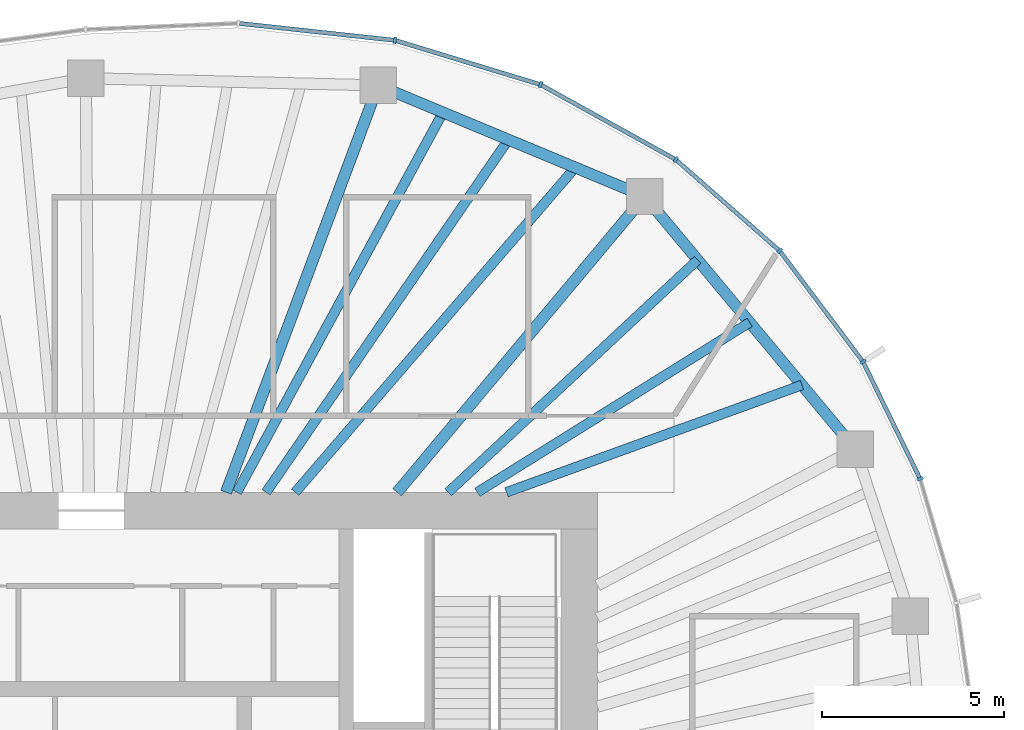
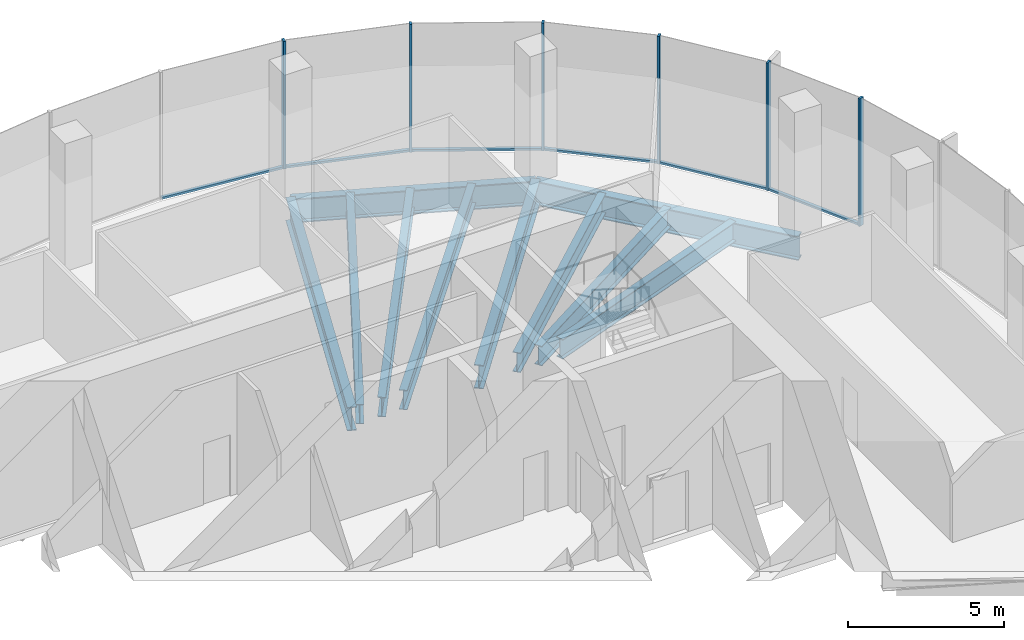
# One storey, part 6 of 11: 12 members, 10 beams, 4 elements without a shape of their own.
"""IFC4 building model written with IfcOpenShell, lengths in metres."""

from ifc_helpers import new_model, si_unit, direction, frame, origin, origin_2d, place, context, subcontext, project, spatial, rectangle, i_section, extrude, material, material_profile, profile_set, type_object, element, aggregate, save


model = new_model("IFC4")

# Units and contexts
model_context = context("Model", 3, precision=1e-05, world=origin(), true_north=direction((0.0, 1.0)))
body_context = subcontext(model_context, "Body", "Model", "MODEL_VIEW")
ifc_project = project(units=[si_unit("LENGTHUNIT", "METRE"), si_unit("AREAUNIT", "SQUARE_METRE"), si_unit("VOLUMEUNIT", "CUBIC_METRE"), si_unit("PLANEANGLEUNIT", "RADIAN"), si_unit("MASSUNIT", "GRAM", prefix="KILO")], contexts=[model_context])

# Site, building, storey
site_placement = place(None, origin())
site = spatial("IfcSite", under=ifc_project, at=site_placement, CompositionType="ELEMENT")
building_placement = place(site_placement, origin())
building = spatial("IfcBuilding", under=site, at=building_placement, Name="Ghaith Harvest Tower", CompositionType="ELEMENT")
storey_placement = place(building_placement, frame((0.0, 0.0, 334.199951171875)))
storey = spatial("IfcBuildingStorey", under=building, at=storey_placement, Name="L75", CompositionType="ELEMENT", Elevation=334.199951171875)

# Curtain wall, member
ifc_material_1 = material(Name="Black anodised aluminium and fritted glass", Category="aluminium")
curtain_wall_type = type_object("IfcCurtainWallType", Name="CW-T CURTAIN WALL", PredefinedType="NOTDEFINED", material=ifc_material_1)
curtain_wall_1_placement = place(storey_placement, origin())
curtain_wall_1 = element("IfcCurtainWall", 1, at=curtain_wall_1_placement, inside=storey, type_object=curtain_wall_type, Name="Curtain wall CW-T bay 02 L75", PredefinedType="NOTDEFINED")
ifc_material_2 = material(Name="Aluminium, black anodised", Category="aluminium")
ifc_material_profile_1 = material_profile(ifc_material_2, rectangle(XDim=0.080078125, YDim=0.179931640625, at=origin_2d()), Name="CW-T MULLION 80x180")
ifc_profile_set_1 = profile_set([ifc_material_profile_1], Name="Aluminium, black anodised")
member_type_1 = type_object("IfcMemberType", Name="CW-T MULLION 80x180", PredefinedType="MULLION", material=ifc_profile_set_1)
member_1_placement = place(storey_placement, frame((22.754150390625, 10.272216796875, 0.0), z_axis=(0.0, 0.0, 1.0), x_axis=(-0.361184273709, 0.932494461338, 0.0)))
member_1 = element("IfcMember", 2, at=member_1_placement, type_object=member_type_1, Name="CW-T mullion 2 bay 02 L75", PredefinedType="MULLION", context=body_context, shape_type="SweptSolid", body=[
    extrude(rectangle(XDim=0.080078125, YDim=0.179931640625, at=origin_2d()), origin(), (0.0, 0.0, 1.0), 5.0),
])

# Curtain wall, members
curtain_wall_2_placement = place(storey_placement, origin())
curtain_wall_2 = element("IfcCurtainWall", 3, at=curtain_wall_2_placement, inside=storey, type_object=curtain_wall_type, Name="Curtain wall CW-T bay 03 L75", PredefinedType="NOTDEFINED")
member_2_placement = place(storey_placement, frame((21.18896484375, 13.48486328125, 0.0), z_axis=(0.0, 0.0, 1.0), x_axis=(-0.524482238522, 0.851421388899, 0.0)))
member_2 = element("IfcMember", 4, at=member_2_placement, type_object=member_type_1, Name="CW-T mullion 1 bay 03 L75", PredefinedType="MULLION", context=body_context, shape_type="SweptSolid", body=[
    extrude(rectangle(XDim=0.080078125, YDim=0.179931640625, at=origin_2d()), origin(), (0.0, 0.0, 1.0), 5.0),
])
member_3_placement = place(storey_placement, frame((18.901123046875, 16.527099609375, 0.0), z_axis=(0.0, 0.0, 1.0), x_axis=(-0.679660897075, 0.733526458274, 0.0)))
member_3 = element("IfcMember", 5, at=member_3_placement, type_object=member_type_1, Name="CW-T mullion 2 bay 03 L75", PredefinedType="MULLION", context=body_context, shape_type="SweptSolid", body=[
    extrude(rectangle(XDim=0.080078125, YDim=0.179931640625, at=origin_2d()), origin(), (0.0, 0.0, 1.0), 5.0),
])

curtain_wall_3_placement = place(storey_placement, origin())
curtain_wall_3 = element("IfcCurtainWall", 6, at=curtain_wall_3_placement, inside=storey, type_object=curtain_wall_type, Name="Curtain wall CW-T bay 04 L75", PredefinedType="NOTDEFINED")
member_4_placement = place(storey_placement, frame((16.04931640625, 19.031982421875, 0.0), z_axis=(0.0, 0.0, 1.0), x_axis=(-0.821112053873, 0.570767023385, 0.0)))
member_4 = element("IfcMember", 7, at=member_4_placement, type_object=member_type_1, Name="CW-T mullion 1 bay 04 L75", PredefinedType="MULLION", context=body_context, shape_type="SweptSolid", body=[
    extrude(rectangle(XDim=0.080078125, YDim=0.179931640625, at=origin_2d()), origin(), (0.0, 0.0, 1.0), 5.0),
])
member_5_placement = place(storey_placement, frame((12.334228515625, 21.091796875, 0.0), z_axis=(0.0, 0.0, 1.0), x_axis=(-0.920319269246, 0.391168049123, 0.0)))
member_5 = element("IfcMember", 8, at=member_5_placement, type_object=member_type_1, Name="CW-T mullion 2 bay 04 L75", PredefinedType="MULLION", context=body_context, shape_type="SweptSolid", body=[
    extrude(rectangle(XDim=0.080078125, YDim=0.179931640625, at=origin_2d()), origin(), (0.0, 0.0, 1.0), 5.0),
])

# Curtain wall, member
curtain_wall_4_placement = place(storey_placement, origin())
curtain_wall_4 = element("IfcCurtainWall", 9, at=curtain_wall_4_placement, inside=storey, type_object=curtain_wall_type, Name="Curtain wall CW-T bay 05 L75", PredefinedType="NOTDEFINED")
member_6_placement = place(storey_placement, frame((8.33984375, 22.308837890625, 0.0), z_axis=(0.0, 0.0, 1.0), x_axis=(-0.980000193436, 0.198996534809, 0.0)))
member_6 = element("IfcMember", 10, at=member_6_placement, type_object=member_type_1, Name="CW-T mullion 1 bay 05 L75", PredefinedType="MULLION", context=body_context, shape_type="SweptSolid", body=[
    extrude(rectangle(XDim=0.080078125, YDim=0.179931640625, at=origin_2d()), origin(), (0.0, 0.0, 1.0), 5.0),
])

# Member
ifc_material_3 = material(Name="Aluminium, black anodised", Category="aluminium")
ifc_material_profile_2 = material_profile(ifc_material_3, rectangle(XDim=0.1201171875, YDim=0.080078125, at=origin_2d()), Name="CW-T TRANSOM 120x80")
ifc_profile_set_2 = profile_set([ifc_material_profile_2], Name="Aluminium, black anodised")
member_type_2 = type_object("IfcMemberType", Name="CW-T TRANSOM 120x80", PredefinedType="USERDEFINED", material=ifc_profile_set_2)
member_7_placement = place(storey_placement, frame((22.736572265625, 10.308349609375, 0.0400390625), z_axis=(-0.437965078712, 0.898991985408, 0.0), x_axis=(-0.898991985408, -0.437965078712, 0.0)))
member_7 = element("IfcMember", 11, at=member_7_placement, type_object=member_type_2, Name="CW-T transom 2 bay 02 L75", ObjectType="TRANSOM", PredefinedType="USERDEFINED", context=body_context, shape_type="SweptSolid", body=[
    extrude(rectangle(XDim=0.1201171875, YDim=0.080078125, at=origin_2d()), origin(), (0.0, 0.0, 1.0), 3.493408203125),
])

aggregate(curtain_wall_1, [member_1, member_7])

member_8_placement = place(storey_placement, frame((21.1650390625, 13.516845703125, 0.0400390625), z_axis=(-0.601079103045, 0.799189534392, 0.0), x_axis=(-0.799189534392, -0.601079103045, 0.0)))
member_8 = element("IfcMember", 12, at=member_8_placement, type_object=member_type_2, Name="CW-T transom 1 bay 03 L75", ObjectType="TRANSOM", PredefinedType="USERDEFINED", context=body_context, shape_type="SweptSolid", body=[
    extrude(rectangle(XDim=0.1201171875, YDim=0.080078125, at=origin_2d()), origin(), (0.0, 0.0, 1.0), 3.7265625),
])

member_9_placement = place(storey_placement, frame((18.87109375, 16.553466796875, 0.0400390625), z_axis=(-0.751325799984, 0.659931467865, 0.0), x_axis=(-0.659931467865, -0.751325799984, 0.0)))
member_9 = element("IfcMember", 13, at=member_9_placement, type_object=member_type_2, Name="CW-T transom 2 bay 03 L75", ObjectType="TRANSOM", PredefinedType="USERDEFINED", context=body_context, shape_type="SweptSolid", body=[
    extrude(rectangle(XDim=0.1201171875, YDim=0.080078125, at=origin_2d()), origin(), (0.0, 0.0, 1.0), 3.7158203125),
])

aggregate(curtain_wall_2, [member_2, member_8, member_3, member_9])

member_10_placement = place(storey_placement, frame((16.01416015625, 19.051513671875, 0.0400390625), z_axis=(-0.874552130553, 0.484931511603, 0.0), x_axis=(-0.484931511603, -0.874552130553, 0.0)))
member_10 = element("IfcMember", 14, at=member_10_placement, type_object=member_type_2, Name="CW-T transom 1 bay 04 L75", ObjectType="TRANSOM", PredefinedType="USERDEFINED", context=body_context, shape_type="SweptSolid", body=[
    extrude(rectangle(XDim=0.1201171875, YDim=0.080078125, at=origin_2d()), origin(), (0.0, 0.0, 1.0), 4.16748046875),
])

member_11_placement = place(storey_placement, frame((12.296142578125, 21.103515625, 0.0400390625), z_axis=(-0.956593713342, 0.291424891858, 0.0), x_axis=(-0.291424891858, -0.956593713342, 0.0)))
member_11 = element("IfcMember", 15, at=member_11_placement, type_object=member_type_2, Name="CW-T transom 2 bay 04 L75", ObjectType="TRANSOM", PredefinedType="USERDEFINED", context=body_context, shape_type="SweptSolid", body=[
    extrude(rectangle(XDim=0.1201171875, YDim=0.080078125, at=origin_2d()), origin(), (0.0, 0.0, 1.0), 4.095703125),
])

aggregate(curtain_wall_3, [member_4, member_10, member_5, member_11])

member_12_placement = place(storey_placement, frame((8.300048828125, 22.313232421875, 0.0400390625), z_axis=(-0.994144463069, 0.108059180768, 0.0), x_axis=(-0.108059180768, -0.994144463069, 0.0)))
member_12 = element("IfcMember", 16, at=member_12_placement, type_object=member_type_2, Name="CW-T transom 1 bay 05 L75", ObjectType="TRANSOM", PredefinedType="USERDEFINED", context=body_context, shape_type="SweptSolid", body=[
    extrude(rectangle(XDim=0.1201171875, YDim=0.080078125, at=origin_2d()), origin(), (0.0, 0.0, 1.0), 4.24755859375),
])

aggregate(curtain_wall_4, [member_6, member_12])

# Beams
ifc_material_4 = material(Name="Steel ASTM A992 Grade 50", Category="steel")
ifc_material_profile_3 = material_profile(ifc_material_4, i_section(OverallWidth=0.306884765625, OverallDepth=0.94189453125, WebThickness=0.022216796875, FlangeThickness=0.039794921875, at=origin_2d()), Name="W920X345")
ifc_profile_set_3 = profile_set([ifc_material_profile_3], Name="Steel ASTM A992 Grade 50")
beam_type_1 = type_object("IfcBeamType", Name="E920-345 W920X345", PredefinedType="SPANDREL", material=ifc_profile_set_3)
beam_1_placement = place(storey_placement, frame((20.97705078125, 11.087890625, -0.696044921875), z_axis=(-0.640173759088, 0.76823014662, 0.0), x_axis=(-0.76823014662, -0.640173759088, 0.0)))
element("IfcBeam", 17, at=beam_1_placement, inside=storey, type_object=beam_type_1, Name="Edge beam E03 L75", PredefinedType="SPANDREL", context=body_context, shape_type="SweptSolid", body=[
    extrude(i_section(OverallWidth=0.306884765625, OverallDepth=0.94189453125, WebThickness=0.022216796875, FlangeThickness=0.039794921875, at=origin_2d()), origin(), (0.0, 0.0, 1.0), 9.02734375),
])
beam_2_placement = place(storey_placement, frame((15.197998046875, 18.02294921875, -0.696044921875), z_axis=(-0.923119729219, 0.384512633766, 0.0), x_axis=(-0.384512633766, -0.923119729219, 0.0)))
element("IfcBeam", 18, at=beam_2_placement, inside=storey, type_object=beam_type_1, Name="Edge beam E04 L75", PredefinedType="SPANDREL", context=body_context, shape_type="SweptSolid", body=[
    extrude(i_section(OverallWidth=0.306884765625, OverallDepth=0.94189453125, WebThickness=0.022216796875, FlangeThickness=0.039794921875, at=origin_2d()), origin(), (0.0, 0.0, 1.0), 7.9296875),
])
ifc_material_5 = material(Name="Steel ASTM A992 Grade 50", Category="steel")
ifc_material_profile_4 = material_profile(ifc_material_5, i_section(OverallWidth=0.31005859375, OverallDepth=0.927001953125, WebThickness=0.019287109375, FlangeThickness=0.031982421875, at=origin_2d()), Name="W920X289")
ifc_profile_set_4 = profile_set([ifc_material_profile_4], Name="Steel ASTM A992 Grade 50")
beam_type_2 = type_object("IfcBeamType", Name="G920-289 W920X289", PredefinedType="BEAM", material=ifc_profile_set_4)
beam_3_placement = place(storey_placement, frame((8.39990234375, 9.89990234375, -0.6884765625), z_axis=(0.641792628883, 0.766878231215, 0.0), x_axis=(-0.766878231215, 0.641792628883, 0.0)))
element("IfcBeam", 19, at=beam_3_placement, inside=storey, type_object=beam_type_2, Name="Radial girder G04 L75", PredefinedType="BEAM", context=body_context, shape_type="SweptSolid", body=[
    extrude(i_section(OverallWidth=0.31005859375, OverallDepth=0.927001953125, WebThickness=0.019287109375, FlangeThickness=0.031982421875, at=origin_2d()), origin(), (0.0, 0.0, 1.0), 10.59228515625),
])
beam_4_placement = place(storey_placement, frame((3.700927734375, 9.89990234375, -0.6884765625), z_axis=(0.350201332531, 0.936674450753, 0.0), x_axis=(-0.936674450753, 0.350201332531, 0.0)))
element("IfcBeam", 20, at=beam_4_placement, inside=storey, type_object=beam_type_2, Name="Radial girder G05 L75", PredefinedType="BEAM", context=body_context, shape_type="SweptSolid", body=[
    extrude(i_section(OverallWidth=0.31005859375, OverallDepth=0.927001953125, WebThickness=0.019287109375, FlangeThickness=0.031982421875, at=origin_2d()), origin(), (0.0, 0.0, 1.0), 11.927490234375),
])
ifc_material_6 = material(Name="Steel ASTM A992 Grade 50", Category="steel")
ifc_material_profile_5 = material_profile(ifc_material_6, i_section(OverallWidth=0.26806640625, OverallDepth=0.77001953125, WebThickness=0.015625, FlangeThickness=0.025390625, at=origin_2d()), Name="W760X196")
ifc_profile_set_5 = profile_set([ifc_material_profile_5], Name="Steel ASTM A992 Grade 50")
beam_type_3 = type_object("IfcBeamType", Name="J760-196 W760X196", PredefinedType="JOIST", material=ifc_profile_set_5)
beam_5_placement = place(storey_placement, frame((11.39990234375, 9.89990234375, -0.60986328125), z_axis=(0.939925501564, 0.341379629605, 0.0), x_axis=(-0.341379629605, 0.939925501564, 0.0)))
element("IfcBeam", 21, at=beam_5_placement, inside=storey, type_object=beam_type_3, Name="Joist J03.1 L75", PredefinedType="JOIST", context=body_context, shape_type="SweptSolid", body=[
    extrude(i_section(OverallWidth=0.26806640625, OverallDepth=0.77001953125, WebThickness=0.015625, FlangeThickness=0.025390625, at=origin_2d()), origin(), (0.0, 0.0, 1.0), 8.630615234375),
])
beam_6_placement = place(storey_placement, frame((10.60009765625, 9.89990234375, -0.60986328125), z_axis=(0.84837619421, 0.52939383553, 0.0), x_axis=(-0.52939383553, 0.84837619421, 0.0)))
element("IfcBeam", 22, at=beam_6_placement, inside=storey, type_object=beam_type_3, Name="Joist J03.2 L75", PredefinedType="JOIST", context=body_context, shape_type="SweptSolid", body=[
    extrude(i_section(OverallWidth=0.26806640625, OverallDepth=0.77001953125, WebThickness=0.015625, FlangeThickness=0.025390625, at=origin_2d()), origin(), (0.0, 0.0, 1.0), 8.814697265625),
])
beam_7_placement = place(storey_placement, frame((9.800048828125, 9.89990234375, -0.60986328125), z_axis=(0.73164904944, 0.681681500742, 0.0), x_axis=(-0.681681500742, 0.73164904944, 0.0)))
element("IfcBeam", 23, at=beam_7_placement, inside=storey, type_object=beam_type_3, Name="Joist J03.3 L75", PredefinedType="JOIST", context=body_context, shape_type="SweptSolid", body=[
    extrude(i_section(OverallWidth=0.26806640625, OverallDepth=0.77001953125, WebThickness=0.015625, FlangeThickness=0.025390625, at=origin_2d()), origin(), (0.0, 0.0, 1.0), 9.361572265625),
])
beam_8_placement = place(storey_placement, frame((5.60009765625, 9.89990234375, -0.60986328125), z_axis=(0.652992938501, 0.757363995888, 0.0), x_axis=(-0.757363995888, 0.652992938501, 0.0)))
element("IfcBeam", 24, at=beam_8_placement, inside=storey, type_object=beam_type_3, Name="Joist J04.1 L75", PredefinedType="JOIST", context=body_context, shape_type="SweptSolid", body=[
    extrude(i_section(OverallWidth=0.26806640625, OverallDepth=0.77001953125, WebThickness=0.015625, FlangeThickness=0.025390625, at=origin_2d()), origin(), (0.0, 0.0, 1.0), 11.775390625),
])
beam_9_placement = place(storey_placement, frame((4.800048828125, 9.89990234375, -0.60986328125), z_axis=(0.566228035119, 0.824248634967, 0.0), x_axis=(-0.824248634967, 0.566228035119, 0.0)))
element("IfcBeam", 25, at=beam_9_placement, inside=storey, type_object=beam_type_3, Name="Joist J04.2 L75", PredefinedType="JOIST", context=body_context, shape_type="SweptSolid", body=[
    extrude(i_section(OverallWidth=0.26806640625, OverallDepth=0.77001953125, WebThickness=0.015625, FlangeThickness=0.025390625, at=origin_2d()), origin(), (0.0, 0.0, 1.0), 11.748046875),
])
beam_10_placement = place(storey_placement, frame((4.0, 9.89990234375, -0.60986328125), z_axis=(0.476764926531, 0.879030832696, 0.0), x_axis=(-0.879030832696, 0.476764926531, 0.0)))
element("IfcBeam", 26, at=beam_10_placement, inside=storey, type_object=beam_type_3, Name="Joist J04.3 L75", PredefinedType="JOIST", context=body_context, shape_type="SweptSolid", body=[
    extrude(i_section(OverallWidth=0.26806640625, OverallDepth=0.77001953125, WebThickness=0.015625, FlangeThickness=0.025390625, at=origin_2d()), origin(), (0.0, 0.0, 1.0), 11.866455078125),
])

save(model, "model.ifc")
